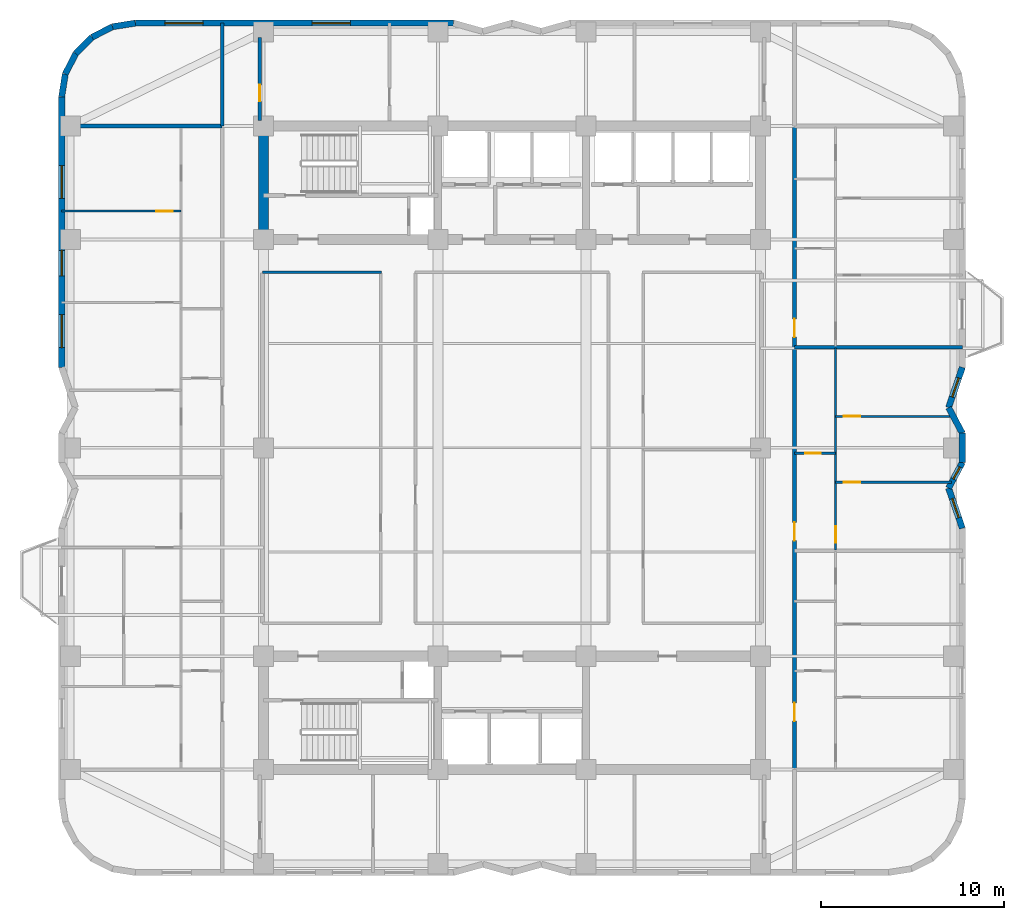
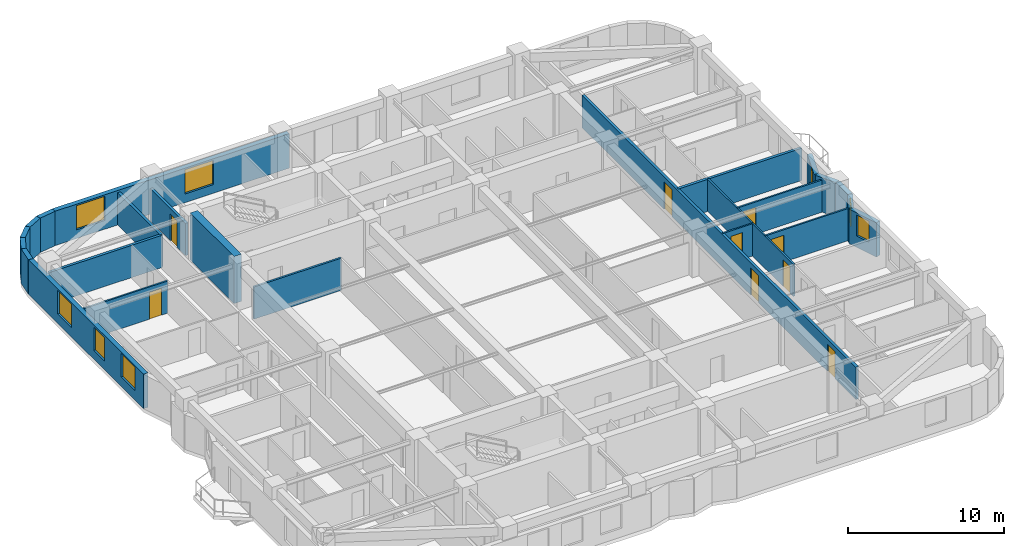
# One storey, part 5 of 9: 24 walls, 9 doors, 8 windows, 17 openings.
"""IFC4 building model written with IfcOpenShell, lengths in metres."""

from ifc_helpers import new_model, si_unit, direction, frame, frame_2d, origin, place, context, subcontext, project, spatial, rectangle, extrude, material, layer, layer_set, type_object, element, fill, save


model = new_model("IFC4")

# Units and contexts
model_context = context("Model", 3, precision=1e-05, world=origin(), true_north=direction((0.0, 1.0)))
body_context = subcontext(model_context, "Body", "Model", "MODEL_VIEW")
ifc_project = project(units=[si_unit("LENGTHUNIT", "METRE"), si_unit("AREAUNIT", "SQUARE_METRE"), si_unit("VOLUMEUNIT", "CUBIC_METRE"), si_unit("PLANEANGLEUNIT", "RADIAN"), si_unit("MASSUNIT", "GRAM", prefix="KILO")], contexts=[model_context])

# Site, building, storey
site_placement = place(None, origin())
site = spatial("IfcSite", under=ifc_project, at=site_placement, CompositionType="ELEMENT")
building_placement = place(site_placement, origin())
building = spatial("IfcBuilding", under=site, at=building_placement, Name="Svetorya Sky Lyceum", CompositionType="ELEMENT")
storey_placement = place(building_placement, frame((0.0, 0.0, 125.300048828125)))
storey = spatial("IfcBuildingStorey", under=building, at=storey_placement, Name="L31", CompositionType="ELEMENT", Elevation=125.300048828125)

# Wall
ifc_material_1 = material(Name="Concrete C60/75", Category="concrete")
ifc_layer_1 = layer(ifc_material_1, 0.550048828125)
ifc_layer_set_1 = layer_set([ifc_layer_1], Name="Concrete C60/75")
wall_type_1 = type_object("IfcWallType", Name="WL-CORE-550", PredefinedType="SHEAR", material=ifc_layer_set_1)
wall_1_placement = place(storey_placement, frame((25.60009765625, 39.875, 0.0), z_axis=(0.0, 0.0, 1.0), x_axis=(0.0, 1.0, 0.0)))
element("IfcWall", 1, at=wall_1_placement, inside=storey, type_object=wall_type_1, Name="L31 NC West Core Shear Wall", PredefinedType="SHEAR", context=body_context, shape_type="SweptSolid", body=[
    extrude(rectangle(XDim=5.64990234375, YDim=0.550048828125, at=frame_2d((2.824951171875, 0.0))), origin(), (0.0, 0.0, 1.0), 3.699951171875),
])

# Wall, opening, window
ifc_material_2 = material(Name="Putilovo limestone rainscreen on autoclaved cellular masonry", Category="masonry")
ifc_layer_2 = layer(ifc_material_2, 0.340087890625)
ifc_layer_set_2 = layer_set([ifc_layer_2], Name="Putilovo limestone rainscreen on autoclaved cellular masonry")
wall_type_2 = type_object("IfcWallType", Name="WL-EXT-340", PredefinedType="SOLIDWALL", material=ifc_layer_set_2)
wall_2_placement = place(storey_placement, frame((63.830078125, 23.800048828125, 0.0), z_axis=(0.0, 0.0, 1.0), x_axis=(-0.322680343871, 0.946508000853, 0.0)))
wall_2 = element("IfcWall", 2, at=wall_2_placement, inside=storey, type_object=wall_type_2, Name="L31 Limestone Exterior Wall 18M", PredefinedType="SOLIDWALL", context=body_context, shape_type="SweptSolid", body=[
    extrude(rectangle(XDim=2.32421875, YDim=0.340087890625, at=frame_2d((1.162109375, 0.0))), origin(), (0.0, 0.0, 1.0), 2.699951171875),
])
opening_1_placement = place(wall_2_placement, frame((0.6123046875, 0.0, 0.889892578125)))
opening_1 = element("IfcOpeningElement", 3, at=opening_1_placement, cuts=wall_2, Name="Opening W-R3", PredefinedType="OPENING", context=body_context, shape_type="SweptSolid", body=[
    extrude(rectangle(XDim=1.10009765625, YDim=1.64990234375, at=frame_2d((0.550048828125, 0.824951171875))), frame((0.0, 0.179931640625, 0.0), z_axis=(0.0, -1.0, 0.0), x_axis=(1.0, 0.0, 0.0)), (0.0, 0.0, 1.0), 0.360107421875),
])
ifc_material_3 = material(Name="Thermally broken aluminium frame with triple low-E glazing", Category="aluminium")
window_type_1 = type_object("IfcWindowType", Name="WN-RES-110", PartitioningType="SINGLE_PANEL", PredefinedType="WINDOW", material=ifc_material_3)
window_1_placement = place(opening_1_placement, origin())
window_1 = element("IfcWindow", 4, at=window_1_placement, inside=storey, type_object=window_type_1, Name="L31 Facade Window W-R3.18M.1", OverallHeight=1.64990234375, OverallWidth=1.10009765625, PartitioningType="SINGLE_PANEL", PredefinedType="WINDOW", context=body_context, shape_type="SweptSolid", body=[
    extrude(rectangle(XDim=1.10009765625, YDim=1.64990234375, at=frame_2d((0.550048828125, 0.824951171875))), frame((0.0, 0.030029296875, 0.0), z_axis=(0.0, -1.0, 0.0), x_axis=(1.0, 0.0, 0.0)), (0.0, 0.0, 1.0), 0.06005859375),
])
fill(opening_1, window_1)

wall_3_placement = place(storey_placement, frame((63.080078125, 26.0, 0.0), z_axis=(0.0, 0.0, 1.0), x_axis=(0.472247007964, 0.881466257703, 0.0)))
wall_3 = element("IfcWall", 5, at=wall_3_placement, inside=storey, type_object=wall_type_2, Name="L31 Limestone Exterior Wall 19M", PredefinedType="SOLIDWALL", context=body_context, shape_type="SweptSolid", body=[
    extrude(rectangle(XDim=1.588134765625, YDim=0.340087890625, at=frame_2d((0.7939453125, 0.0))), origin(), (0.0, 0.0, 1.0), 2.699951171875),
])
opening_2_placement = place(wall_3_placement, frame((0.56005859375, 0.0, 0.889892578125)))
opening_2 = element("IfcOpeningElement", 6, at=opening_2_placement, cuts=wall_3, Name="Opening W-R5", PredefinedType="OPENING", context=body_context, shape_type="SweptSolid", body=[
    extrude(rectangle(XDim=0.75, YDim=1.64990234375, at=frame_2d((0.375, 0.824951171875))), frame((0.0, 0.179931640625, 0.0), z_axis=(0.0, -1.0, 0.0), x_axis=(1.0, 0.0, 0.0)), (0.0, 0.0, 1.0), 0.360107421875),
])
window_type_2 = type_object("IfcWindowType", Name="WN-RES-075", PartitioningType="SINGLE_PANEL", PredefinedType="WINDOW", material=ifc_material_3)
window_2_placement = place(opening_2_placement, origin())
window_2 = element("IfcWindow", 7, at=window_2_placement, inside=storey, type_object=window_type_2, Name="L31 Facade Window W-R5.19M.1", OverallHeight=1.64990234375, OverallWidth=0.75, PartitioningType="SINGLE_PANEL", PredefinedType="WINDOW", context=body_context, shape_type="SweptSolid", body=[
    extrude(rectangle(XDim=0.75, YDim=1.64990234375, at=frame_2d((0.375, 0.824951171875))), frame((0.0, 0.030029296875, 0.0), z_axis=(0.0, -1.0, 0.0), x_axis=(1.0, 0.0, 0.0)), (0.0, 0.0, 1.0), 0.06005859375),
])
fill(opening_2, window_2)

# Walls
wall_4_placement = place(storey_placement, frame((63.830078125, 27.39990234375, 0.0), z_axis=(0.0, 0.0, 1.0), x_axis=(0.0, 1.0, 0.0)))
element("IfcWall", 8, at=wall_4_placement, inside=storey, type_object=wall_type_2, Name="L31 Limestone Exterior Wall 20M", PredefinedType="SOLIDWALL", context=body_context, shape_type="SweptSolid", body=[
    extrude(rectangle(XDim=1.60009765625, YDim=0.340087890625, at=frame_2d((0.800048828125, 0.0))), origin(), (0.0, 0.0, 1.0), 2.699951171875),
])
wall_5_placement = place(storey_placement, frame((63.830078125, 29.0, 0.0), z_axis=(0.0, 0.0, 1.0), x_axis=(-0.472247007964, 0.881466257703, 0.0)))
element("IfcWall", 9, at=wall_5_placement, inside=storey, type_object=wall_type_2, Name="L31 Limestone Exterior Wall 21M", PredefinedType="SOLIDWALL", context=body_context, shape_type="SweptSolid", body=[
    extrude(rectangle(XDim=1.588134765625, YDim=0.340087890625, at=frame_2d((0.7939453125, 0.0))), origin(), (0.0, 0.0, 1.0), 2.699951171875),
])

# Wall, opening, window
wall_6_placement = place(storey_placement, frame((63.080078125, 30.39990234375, 0.0), z_axis=(0.0, 0.0, 1.0), x_axis=(0.32264826586, 0.946518936175, 0.0)))
wall_6 = element("IfcWall", 10, at=wall_6_placement, inside=storey, type_object=wall_type_2, Name="L31 Limestone Exterior Wall 22M", PredefinedType="SOLIDWALL", context=body_context, shape_type="SweptSolid", body=[
    extrude(rectangle(XDim=2.324462890625, YDim=0.340087890625, at=frame_2d((1.162109375, 0.0))), origin(), (0.0, 0.0, 1.0), 2.699951171875),
])
opening_3_placement = place(wall_6_placement, frame((0.6123046875, 0.0, 0.889892578125)))
opening_3 = element("IfcOpeningElement", 11, at=opening_3_placement, cuts=wall_6, Name="Opening W-R3", PredefinedType="OPENING", context=body_context, shape_type="SweptSolid", body=[
    extrude(rectangle(XDim=1.10009765625, YDim=1.64990234375, at=frame_2d((0.550048828125, 0.824951171875))), frame((0.0, 0.179931640625, 0.0), z_axis=(0.0, -1.0, 0.0), x_axis=(1.0, 0.0, 0.0)), (0.0, 0.0, 1.0), 0.360107421875),
])
window_3_placement = place(opening_3_placement, origin())
window_3 = element("IfcWindow", 12, at=window_3_placement, inside=storey, type_object=window_type_1, Name="L31 Facade Window W-R3.22M.1", OverallHeight=1.64990234375, OverallWidth=1.10009765625, PartitioningType="SINGLE_PANEL", PredefinedType="WINDOW", context=body_context, shape_type="SweptSolid", body=[
    extrude(rectangle(XDim=1.10009765625, YDim=1.64990234375, at=frame_2d((0.550048828125, 0.824951171875))), frame((0.0, 0.030029296875, 0.0), z_axis=(0.0, -1.0, 0.0), x_axis=(1.0, 0.0, 0.0)), (0.0, 0.0, 1.0), 0.06005859375),
])
fill(opening_3, window_3)

# Wall, openings, windows
wall_7_placement = place(storey_placement, frame((36.0, 51.429931640625, 0.0), z_axis=(0.0, 0.0, 1.0), x_axis=(-1.0, 0.0, 0.0)))
wall_7 = element("IfcWall", 13, at=wall_7_placement, inside=storey, type_object=wall_type_2, Name="L31 Limestone Exterior Wall 34M", PredefinedType="SOLIDWALL", context=body_context, shape_type="SweptSolid", body=[
    extrude(rectangle(XDim=17.39990234375, YDim=0.340087890625, at=frame_2d((8.699951171875, 0.0))), origin(), (0.0, 0.0, 1.0), 2.699951171875),
])
opening_4_placement = place(wall_7_placement, frame((5.637451171875, 0.0, 0.679931640625)))
opening_4 = element("IfcOpeningElement", 14, at=opening_4_placement, cuts=wall_7, Name="Opening W-R0", PredefinedType="OPENING", context=body_context, shape_type="SweptSolid", body=[
    extrude(rectangle(XDim=2.10009765625, YDim=1.89990234375, at=frame_2d((1.050048828125, 0.949951171875))), frame((0.0, 0.179931640625, 0.0), z_axis=(0.0, -1.0, 0.0), x_axis=(1.0, 0.0, 0.0)), (0.0, 0.0, 1.0), 0.360107421875),
])
opening_5_placement = place(wall_7_placement, frame((13.6875, 0.0, 0.679931640625)))
opening_5 = element("IfcOpeningElement", 15, at=opening_5_placement, cuts=wall_7, Name="Opening W-R0", PredefinedType="OPENING", context=body_context, shape_type="SweptSolid", body=[
    extrude(rectangle(XDim=2.10009765625, YDim=1.89990234375, at=frame_2d((1.050048828125, 0.949951171875))), frame((0.0, 0.179931640625, 0.0), z_axis=(0.0, -1.0, 0.0), x_axis=(1.0, 0.0, 0.0)), (0.0, 0.0, 1.0), 0.360107421875),
])
window_type_3 = type_object("IfcWindowType", Name="WN-RES-210", PartitioningType="TRIPLE_PANEL_VERTICAL", PredefinedType="WINDOW", material=ifc_material_3)
window_4_placement = place(opening_4_placement, origin())
window_4 = element("IfcWindow", 16, at=window_4_placement, inside=storey, type_object=window_type_3, Name="L31 Facade Window W-R0.34M.1", OverallHeight=1.89990234375, OverallWidth=2.10009765625, PartitioningType="SINGLE_PANEL", PredefinedType="WINDOW", context=body_context, shape_type="SweptSolid", body=[
    extrude(rectangle(XDim=2.10009765625, YDim=1.89990234375, at=frame_2d((1.050048828125, 0.949951171875))), frame((0.0, 0.030029296875, 0.0), z_axis=(0.0, -1.0, 0.0), x_axis=(1.0, 0.0, 0.0)), (0.0, 0.0, 1.0), 0.06005859375),
])
fill(opening_4, window_4)
window_5_placement = place(opening_5_placement, origin())
window_5 = element("IfcWindow", 17, at=window_5_placement, inside=storey, type_object=window_type_3, Name="L31 Facade Window W-R0.34M.2", OverallHeight=1.89990234375, OverallWidth=2.10009765625, PartitioningType="SINGLE_PANEL", PredefinedType="WINDOW", context=body_context, shape_type="SweptSolid", body=[
    extrude(rectangle(XDim=2.10009765625, YDim=1.89990234375, at=frame_2d((1.050048828125, 0.949951171875))), frame((0.0, 0.030029296875, 0.0), z_axis=(0.0, -1.0, 0.0), x_axis=(1.0, 0.0, 0.0)), (0.0, 0.0, 1.0), 0.06005859375),
])
fill(opening_5, window_5)

# Walls
wall_8_placement = place(storey_placement, frame((18.60009765625, 51.429931640625, 0.0), z_axis=(0.0, 0.0, 1.0), x_axis=(-0.98771582066, -0.156260864002, 0.0)))
element("IfcWall", 18, at=wall_8_placement, inside=storey, type_object=wall_type_2, Name="L31 Limestone Exterior Wall 35M", PredefinedType="SOLIDWALL", context=body_context, shape_type="SweptSolid", body=[
    extrude(rectangle(XDim=1.2607421875, YDim=0.340087890625, at=frame_2d((0.63037109375, 0.0))), origin(), (0.0, 0.0, 1.0), 2.699951171875),
])
for number, where, z_axis, x_axis, name in (
    (19, (17.354736328125, 51.23291015625, 0.0), (0.0, 0.0, 1.0), (-0.890993689142, -0.454015689056, 0.0), "L31 Limestone Exterior Wall 36M"),
    (20, (16.231201171875, 50.660400390625, 0.0), (0.0, 0.0, 1.0), (-0.707106781187, -0.707106781187, 0.0), "L31 Limestone Exterior Wall 37M"),
    (21, (15.339599609375, 49.768798828125, 0.0), (0.0, 0.0, 1.0), (-0.454015689056, -0.890993689142, 0.0), "L31 Limestone Exterior Wall 38M"),
):
    element("IfcWall", number, at=place(storey_placement, frame(where, z_axis=z_axis, x_axis=x_axis)), inside=storey, type_object=wall_type_2, Name=name, PredefinedType="SOLIDWALL", context=body_context, shape_type="SweptSolid", body=[
        extrude(rectangle(XDim=1.260986328125, YDim=0.340087890625, at=frame_2d((0.63037109375, 0.0))), origin(), (0.0, 0.0, 1.0), 2.699951171875),
    ])
wall_9_placement = place(storey_placement, frame((14.76708984375, 48.645263671875, 0.0), z_axis=(0.0, 0.0, 1.0), x_axis=(-0.156260864002, -0.98771582066, 0.0)))
element("IfcWall", 22, at=wall_9_placement, inside=storey, type_object=wall_type_2, Name="L31 Limestone Exterior Wall 39M", PredefinedType="SOLIDWALL", context=body_context, shape_type="SweptSolid", body=[
    extrude(rectangle(XDim=1.2607421875, YDim=0.340087890625, at=frame_2d((0.63037109375, 0.0))), origin(), (0.0, 0.0, 1.0), 2.699951171875),
])

# Wall, openings, windows
wall_10_placement = place(storey_placement, frame((14.570068359375, 47.39990234375, 0.0), z_axis=(0.0, 0.0, 1.0), x_axis=(0.0, -1.0, 0.0)))
wall_10 = element("IfcWall", 23, at=wall_10_placement, inside=storey, type_object=wall_type_2, Name="L31 Limestone Exterior Wall 40M", PredefinedType="SOLIDWALL", context=body_context, shape_type="SweptSolid", body=[
    extrude(rectangle(XDim=14.7998046875, YDim=0.340087890625, at=frame_2d((7.39990234375, 0.0))), origin(), (0.0, 0.0, 1.0), 2.699951171875),
])
opening_6_placement = place(wall_10_placement, frame((3.762451171875, 0.0, 0.72998046875)))
opening_6 = element("IfcOpeningElement", 24, at=opening_6_placement, cuts=wall_10, Name="Opening W-R1", PredefinedType="OPENING", context=body_context, shape_type="SweptSolid", body=[
    extrude(rectangle(XDim=1.800048828125, YDim=1.85009765625, at=frame_2d((0.89990234375, 0.925048828125))), frame((0.0, 0.179931640625, 0.0), z_axis=(0.0, -1.0, 0.0), x_axis=(1.0, 0.0, 0.0)), (0.0, 0.0, 1.0), 0.360107421875),
])
opening_7_placement = place(wall_10_placement, frame((8.39990234375, 0.0, 0.68994140625)))
opening_7 = element("IfcOpeningElement", 25, at=opening_7_placement, cuts=wall_10, Name="Opening W-R2", PredefinedType="OPENING", context=body_context, shape_type="SweptSolid", body=[
    extrude(rectangle(XDim=1.39990234375, YDim=1.85009765625, at=frame_2d((0.699951171875, 0.925048828125))), frame((0.0, 0.179931640625, 0.0), z_axis=(0.0, -1.0, 0.0), x_axis=(1.0, 0.0, 0.0)), (0.0, 0.0, 1.0), 0.360107421875),
])
opening_8_placement = place(wall_10_placement, frame((11.91259765625, 0.0, 0.72998046875)))
opening_8 = element("IfcOpeningElement", 26, at=opening_8_placement, cuts=wall_10, Name="Opening W-R1", PredefinedType="OPENING", context=body_context, shape_type="SweptSolid", body=[
    extrude(rectangle(XDim=1.800048828125, YDim=1.85009765625, at=frame_2d((0.89990234375, 0.925048828125))), frame((0.0, 0.179931640625, 0.0), z_axis=(0.0, -1.0, 0.0), x_axis=(1.0, 0.0, 0.0)), (0.0, 0.0, 1.0), 0.360107421875),
])
window_type_4 = type_object("IfcWindowType", Name="WN-RES-140", PartitioningType="SINGLE_PANEL", PredefinedType="WINDOW", material=ifc_material_3)
window_6_placement = place(opening_7_placement, origin())
window_6 = element("IfcWindow", 27, at=window_6_placement, inside=storey, type_object=window_type_4, Name="L31 Facade Window W-R2.40M.3", OverallHeight=1.85009765625, OverallWidth=1.39990234375, PartitioningType="SINGLE_PANEL", PredefinedType="WINDOW", context=body_context, shape_type="SweptSolid", body=[
    extrude(rectangle(XDim=1.39990234375, YDim=1.85009765625, at=frame_2d((0.699951171875, 0.925048828125))), frame((0.0, 0.030029296875, 0.0), z_axis=(0.0, -1.0, 0.0), x_axis=(1.0, 0.0, 0.0)), (0.0, 0.0, 1.0), 0.06005859375),
])
fill(opening_7, window_6)
window_type_5 = type_object("IfcWindowType", Name="WN-RES-180", PartitioningType="DOUBLE_PANEL_VERTICAL", PredefinedType="WINDOW", material=ifc_material_3)
window_7_placement = place(opening_6_placement, origin())
window_7 = element("IfcWindow", 28, at=window_7_placement, inside=storey, type_object=window_type_5, Name="L31 Facade Window W-R1.40M.1", OverallHeight=1.85009765625, OverallWidth=1.800048828125, PartitioningType="SINGLE_PANEL", PredefinedType="WINDOW", context=body_context, shape_type="SweptSolid", body=[
    extrude(rectangle(XDim=1.800048828125, YDim=1.85009765625, at=frame_2d((0.89990234375, 0.925048828125))), frame((0.0, 0.030029296875, 0.0), z_axis=(0.0, -1.0, 0.0), x_axis=(1.0, 0.0, 0.0)), (0.0, 0.0, 1.0), 0.06005859375),
])
fill(opening_6, window_7)
window_8_placement = place(opening_8_placement, origin())
window_8 = element("IfcWindow", 29, at=window_8_placement, inside=storey, type_object=window_type_5, Name="L31 Facade Window W-R1.40M.2", OverallHeight=1.85009765625, OverallWidth=1.800048828125, PartitioningType="SINGLE_PANEL", PredefinedType="WINDOW", context=body_context, shape_type="SweptSolid", body=[
    extrude(rectangle(XDim=1.800048828125, YDim=1.85009765625, at=frame_2d((0.89990234375, 0.925048828125))), frame((0.0, 0.030029296875, 0.0), z_axis=(0.0, -1.0, 0.0), x_axis=(1.0, 0.0, 0.0)), (0.0, 0.0, 1.0), 0.06005859375),
])
fill(opening_8, window_8)

# Wall, opening, door
ifc_material_4 = material(Name="Twin-stud galvanized framing with double fireboard", Category="gypsum")
ifc_layer_3 = layer(ifc_material_4, 0.1201171875)
ifc_layer_set_3 = layer_set([ifc_layer_3], Name="Twin-stud galvanized framing with double fireboard")
wall_type_3 = type_object("IfcWallType", Name="WL-PART-120", PredefinedType="PARTITIONING", material=ifc_layer_set_3)
wall_11_placement = place(storey_placement, frame((14.570068359375, 41.14990234375, 0.0), z_axis=(0.0, 0.0, 1.0), x_axis=(1.0, 0.0, 0.0)))
wall_11 = element("IfcWall", 30, at=wall_11_placement, inside=storey, type_object=wall_type_3, Name="L31 Interior Partition W2-WL3", PredefinedType="PARTITIONING", context=body_context, shape_type="SweptSolid", body=[
    extrude(rectangle(XDim=6.530029296875, YDim=0.1201171875, at=frame_2d((3.26513671875, 0.0))), origin(), (0.0, 0.0, 1.0), 2.530029296875),
])
opening_9_placement = place(wall_11_placement, frame((5.179931640625, 0.0, 0.0)))
opening_9 = element("IfcOpeningElement", 31, at=opening_9_placement, cuts=wall_11, Name="Opening D-RM1", PredefinedType="OPENING", context=body_context, shape_type="SweptSolid", body=[
    extrude(rectangle(XDim=0.89990234375, YDim=2.10009765625, at=frame_2d((0.449951171875, 1.050048828125))), frame((0.0, 0.070068359375, 0.0), z_axis=(0.0, -1.0, 0.0), x_axis=(1.0, 0.0, 0.0)), (0.0, 0.0, 1.0), 0.14013671875),
])
ifc_material_5 = material(Name="Lacquered birch veneer internal door")
door_type_1 = type_object("IfcDoorType", Name="DR-INT-900", OperationType="SINGLE_SWING_LEFT", PredefinedType="DOOR", material=ifc_material_5)
door_1_placement = place(opening_9_placement, origin())
door_1 = element("IfcDoor", 32, at=door_1_placement, inside=storey, type_object=door_type_1, Name="Apartment W2 Bedroom 3 Door", OperationType="SINGLE_SWING_RIGHT", OverallHeight=2.10009765625, OverallWidth=0.89990234375, PredefinedType="DOOR", context=body_context, shape_type="SweptSolid", body=[
    extrude(rectangle(XDim=0.89990234375, YDim=2.10009765625, at=frame_2d((0.449951171875, 1.050048828125))), frame((0.0, 0.02490234375, 0.0), z_axis=(0.0, -1.0, 0.0), x_axis=(1.0, 0.0, 0.0)), (0.0, 0.0, 1.0), 0.050048828125),
])
fill(opening_9, door_1)

wall_12_placement = place(storey_placement, frame((54.64990234375, 27.907958984375, 0.0), z_axis=(0.0, 0.0, 1.0), x_axis=(1.0, 0.0, 0.0)))
wall_12 = element("IfcWall", 33, at=wall_12_placement, inside=storey, type_object=wall_type_3, Name="L31 Interior Partition E2-WH1", PredefinedType="PARTITIONING", context=body_context, shape_type="SweptSolid", body=[
    extrude(rectangle(XDim=2.25, YDim=0.1201171875, at=frame_2d((1.125, 0.0))), origin(), (0.0, 0.0, 1.0), 2.530029296875),
])
opening_10_placement = place(wall_12_placement, frame((0.60009765625, 0.0, 0.0)))
opening_10 = element("IfcOpeningElement", 34, at=opening_10_placement, cuts=wall_12, Name="Opening D-BT1", PredefinedType="OPENING", context=body_context, shape_type="SweptSolid", body=[
    extrude(rectangle(XDim=0.85009765625, YDim=2.10009765625, at=frame_2d((0.425048828125, 1.050048828125))), frame((0.0, 0.070068359375, 0.0), z_axis=(0.0, -1.0, 0.0), x_axis=(1.0, 0.0, 0.0)), (0.0, 0.0, 1.0), 0.14013671875),
])
ifc_material_6 = material(Name="Moisture-resistant laminate bathroom door")
door_type_2 = type_object("IfcDoorType", Name="DR-WET-850", OperationType="SINGLE_SWING_LEFT", PredefinedType="DOOR", material=ifc_material_6)
door_2_placement = place(opening_10_placement, origin())
door_2 = element("IfcDoor", 35, at=door_2_placement, inside=storey, type_object=door_type_2, Name="Apartment E2 Bathroom Door", OperationType="SINGLE_SWING_LEFT", OverallHeight=2.10009765625, OverallWidth=0.85009765625, PredefinedType="DOOR", context=body_context, shape_type="SweptSolid", body=[
    extrude(rectangle(XDim=0.85009765625, YDim=2.10009765625, at=frame_2d((0.425048828125, 1.050048828125))), frame((0.0, 0.02490234375, 0.0), z_axis=(0.0, -1.0, 0.0), x_axis=(1.0, 0.0, 0.0)), (0.0, 0.0, 1.0), 0.050048828125),
])
fill(opening_10, door_2)

wall_13_placement = place(storey_placement, frame((56.89990234375, 26.318115234375, 0.0), z_axis=(0.0, 0.0, 1.0), x_axis=(1.0, 0.0, 0.0)))
wall_13 = element("IfcWall", 36, at=wall_13_placement, inside=storey, type_object=wall_type_3, Name="L31 Interior Partition E2-WL1", PredefinedType="PARTITIONING", context=body_context, shape_type="SweptSolid", body=[
    extrude(rectangle(XDim=6.3505859375, YDim=0.1201171875, at=frame_2d((3.17529296875, 0.0))), origin(), (0.0, 0.0, 1.0), 2.530029296875),
])
opening_11_placement = place(wall_13_placement, frame((0.449951171875, 0.0, 0.0)))
opening_11 = element("IfcOpeningElement", 37, at=opening_11_placement, cuts=wall_13, Name="Opening D-RM1", PredefinedType="OPENING", context=body_context, shape_type="SweptSolid", body=[
    extrude(rectangle(XDim=0.89990234375, YDim=2.10009765625, at=frame_2d((0.449951171875, 1.050048828125))), frame((0.0, 0.070068359375, 0.0), z_axis=(0.0, -1.0, 0.0), x_axis=(1.0, 0.0, 0.0)), (0.0, 0.0, 1.0), 0.14013671875),
])
door_3_placement = place(opening_11_placement, origin())
door_3 = element("IfcDoor", 38, at=door_3_placement, inside=storey, type_object=door_type_1, Name="Apartment E2 Master Bedroom Door", OperationType="SINGLE_SWING_LEFT", OverallHeight=2.10009765625, OverallWidth=0.89990234375, PredefinedType="DOOR", context=body_context, shape_type="SweptSolid", body=[
    extrude(rectangle(XDim=0.89990234375, YDim=2.10009765625, at=frame_2d((0.449951171875, 1.050048828125))), frame((0.0, 0.02490234375, 0.0), z_axis=(0.0, -1.0, 0.0), x_axis=(1.0, 0.0, 0.0)), (0.0, 0.0, 1.0), 0.050048828125),
])
fill(opening_11, door_3)

wall_14_placement = place(storey_placement, frame((56.89990234375, 29.91796875, 0.0), z_axis=(0.0, 0.0, 1.0), x_axis=(1.0, 0.0, 0.0)))
wall_14 = element("IfcWall", 39, at=wall_14_placement, inside=storey, type_object=wall_type_3, Name="L31 Interior Partition E2-WL2", PredefinedType="PARTITIONING", context=body_context, shape_type="SweptSolid", body=[
    extrude(rectangle(XDim=6.438232421875, YDim=0.1201171875, at=frame_2d((3.21923828125, 0.0))), origin(), (0.0, 0.0, 1.0), 2.530029296875),
])
opening_12_placement = place(wall_14_placement, frame((0.449951171875, 0.0, 0.0)))
opening_12 = element("IfcOpeningElement", 40, at=opening_12_placement, cuts=wall_14, Name="Opening D-RM1", PredefinedType="OPENING", context=body_context, shape_type="SweptSolid", body=[
    extrude(rectangle(XDim=0.89990234375, YDim=2.10009765625, at=frame_2d((0.449951171875, 1.050048828125))), frame((0.0, 0.070068359375, 0.0), z_axis=(0.0, -1.0, 0.0), x_axis=(1.0, 0.0, 0.0)), (0.0, 0.0, 1.0), 0.14013671875),
])
door_4_placement = place(opening_12_placement, origin())
door_4 = element("IfcDoor", 41, at=door_4_placement, inside=storey, type_object=door_type_1, Name="Apartment E2 Bedroom 2 Door", OperationType="SINGLE_SWING_RIGHT", OverallHeight=2.10009765625, OverallWidth=0.89990234375, PredefinedType="DOOR", context=body_context, shape_type="SweptSolid", body=[
    extrude(rectangle(XDim=0.89990234375, YDim=2.10009765625, at=frame_2d((0.449951171875, 1.050048828125))), frame((0.0, 0.02490234375, 0.0), z_axis=(0.0, -1.0, 0.0), x_axis=(1.0, 0.0, 0.0)), (0.0, 0.0, 1.0), 0.050048828125),
])
fill(opening_12, door_4)

wall_15_placement = place(storey_placement, frame((56.89990234375, 22.60791015625, 0.0), z_axis=(0.0, 0.0, 1.0), x_axis=(0.0, 1.0, 0.0)))
wall_15 = element("IfcWall", 42, at=wall_15_placement, inside=storey, type_object=wall_type_3, Name="L31 Interior Partition E2-WV", PredefinedType="PARTITIONING", context=body_context, shape_type="SweptSolid", body=[
    extrude(rectangle(XDim=11.052001953125, YDim=0.1201171875, at=frame_2d((5.52587890625, 0.0))), origin(), (0.0, 0.0, 1.0), 2.530029296875),
])
opening_13_placement = place(wall_15_placement, frame((0.409912109375, 0.0, 0.0)))
opening_13 = element("IfcOpeningElement", 43, at=opening_13_placement, cuts=wall_15, Name="Opening D-RM1", PredefinedType="OPENING", context=body_context, shape_type="SweptSolid", body=[
    extrude(rectangle(XDim=0.89990234375, YDim=2.10009765625, at=frame_2d((0.449951171875, 1.050048828125))), frame((0.0, 0.070068359375, 0.0), z_axis=(0.0, -1.0, 0.0), x_axis=(1.0, 0.0, 0.0)), (0.0, 0.0, 1.0), 0.14013671875),
])
door_5_placement = place(opening_13_placement, origin())
door_5 = element("IfcDoor", 44, at=door_5_placement, inside=storey, type_object=door_type_1, Name="Apartment E2 Living Door", OperationType="SINGLE_SWING_RIGHT", OverallHeight=2.10009765625, OverallWidth=0.89990234375, PredefinedType="DOOR", context=body_context, shape_type="SweptSolid", body=[
    extrude(rectangle(XDim=0.89990234375, YDim=2.10009765625, at=frame_2d((0.449951171875, 1.050048828125))), frame((0.0, 0.02490234375, 0.0), z_axis=(0.0, -1.0, 0.0), x_axis=(1.0, 0.0, 0.0)), (0.0, 0.0, 1.0), 0.050048828125),
])
fill(opening_13, door_5)

# Walls
ifc_material_7 = material(Name="Autoclaved cellular masonry blockwork with acoustic render", Category="masonry")
ifc_layer_4 = layer(ifc_material_7, 0.14990234375)
ifc_layer_set_4 = layer_set([ifc_layer_4], Name="Autoclaved cellular masonry blockwork with acoustic render")
wall_type_4 = type_object("IfcWallType", Name="WL-PART-150", PredefinedType="PARTITIONING", material=ifc_layer_set_4)
wall_16_placement = place(storey_placement, frame((25.550048828125, 37.800048828125, 0.0), z_axis=(0.0, 0.0, 1.0), x_axis=(1.0, 0.0, 0.0)))
element("IfcWall", 45, at=wall_16_placement, inside=storey, type_object=wall_type_4, Name="L31 Interior Partition RL-CN-W", PredefinedType="PARTITIONING", context=body_context, shape_type="SweptSolid", body=[
    extrude(rectangle(XDim=6.5, YDim=0.14990234375, at=frame_2d((3.25, 0.0))), origin(), (0.0, 0.0, 1.0), 2.530029296875),
])
ifc_material_8 = material(Name="Autoclaved cellular masonry blockwork with gypsum plaster", Category="masonry")
ifc_layer_5 = layer(ifc_material_8, 0.199951171875)
ifc_layer_set_5 = layer_set([ifc_layer_5], Name="Autoclaved cellular masonry blockwork with gypsum plaster")
wall_type_5 = type_object("IfcWallType", Name="WL-PART-200", PredefinedType="PARTITIONING", material=ifc_layer_set_5)
wall_17_placement = place(storey_placement, frame((14.989990234375, 45.800048828125, 0.0), z_axis=(0.0, 0.0, 1.0), x_axis=(1.0, 0.0, 0.0)))
element("IfcWall", 46, at=wall_17_placement, inside=storey, type_object=wall_type_5, Name="L31 Interior Partition W-CAP-N", PredefinedType="PARTITIONING", context=body_context, shape_type="SweptSolid", body=[
    extrude(rectangle(XDim=8.360107421875, YDim=0.199951171875, at=frame_2d((4.18017578125, 0.0))), origin(), (0.0, 0.0, 1.0), 2.530029296875),
])
wall_18_placement = place(storey_placement, frame((54.64990234375, 33.699951171875, 0.0), z_axis=(0.0, 0.0, 1.0), x_axis=(1.0, 0.0, 0.0)))
element("IfcWall", 47, at=wall_18_placement, inside=storey, type_object=wall_type_5, Name="L31 Interior Partition E-PARTY-2", PredefinedType="PARTITIONING", context=body_context, shape_type="SweptSolid", body=[
    extrude(rectangle(XDim=9.18017578125, YDim=0.199951171875, at=frame_2d((4.590087890625, 0.0))), origin(), (0.0, 0.0, 1.0), 2.530029296875),
])

# Wall, openings, doors
wall_19_placement = place(storey_placement, frame((54.64990234375, 10.60009765625, 0.0), z_axis=(0.0, 0.0, 1.0), x_axis=(0.0, 1.0, 0.0)))
wall_19 = element("IfcWall", 48, at=wall_19_placement, inside=storey, type_object=wall_type_5, Name="L31 Interior Partition E-CORRW", PredefinedType="PARTITIONING", context=body_context, shape_type="SweptSolid", body=[
    extrude(rectangle(XDim=35.199951171875, YDim=0.199951171875, at=frame_2d((17.60009765625, 0.0))), origin(), (0.0, 0.0, 1.0), 2.530029296875),
])
opening_14_placement = place(wall_19_placement, frame((2.64990234375, 0.0, 0.0)))
opening_14 = element("IfcOpeningElement", 49, at=opening_14_placement, cuts=wall_19, Name="Opening D-APT1", PredefinedType="OPENING", context=body_context, shape_type="SweptSolid", body=[
    extrude(rectangle(XDim=1.0, YDim=2.14990234375, at=frame_2d((0.5, 1.074951171875))), frame((0.0, 0.10986328125, 0.0), z_axis=(0.0, -1.0, 0.0), x_axis=(1.0, 0.0, 0.0)), (0.0, 0.0, 1.0), 0.219970703125),
])
opening_15_placement = place(wall_19_placement, frame((12.51806640625, 0.0, 0.0)))
opening_15 = element("IfcOpeningElement", 50, at=opening_15_placement, cuts=wall_19, Name="Opening D-APT1", PredefinedType="OPENING", context=body_context, shape_type="SweptSolid", body=[
    extrude(rectangle(XDim=1.0, YDim=2.14990234375, at=frame_2d((0.5, 1.074951171875))), frame((0.0, 0.10986328125, 0.0), z_axis=(0.0, -1.0, 0.0), x_axis=(1.0, 0.0, 0.0)), (0.0, 0.0, 1.0), 0.219970703125),
])
opening_16_placement = place(wall_19_placement, frame((23.64990234375, 0.0, 0.0)))
opening_16 = element("IfcOpeningElement", 51, at=opening_16_placement, cuts=wall_19, Name="Opening D-APT1", PredefinedType="OPENING", context=body_context, shape_type="SweptSolid", body=[
    extrude(rectangle(XDim=1.0, YDim=2.14990234375, at=frame_2d((0.5, 1.074951171875))), frame((0.0, 0.10986328125, 0.0), z_axis=(0.0, -1.0, 0.0), x_axis=(1.0, 0.0, 0.0)), (0.0, 0.0, 1.0), 0.219970703125),
])
ifc_material_9 = material(Name="Insulated oak-veneered apartment entrance door")
door_type_3 = type_object("IfcDoorType", Name="DR-APT-1000", OperationType="SINGLE_SWING_LEFT", PredefinedType="DOOR", material=ifc_material_9)
door_6_placement = place(opening_14_placement, origin())
door_6 = element("IfcDoor", 52, at=door_6_placement, inside=storey, type_object=door_type_3, Name="L31 Apartment E1 Entrance Door", OperationType="SINGLE_SWING_RIGHT", OverallHeight=2.14990234375, OverallWidth=1.0, PredefinedType="DOOR", context=body_context, shape_type="SweptSolid", body=[
    extrude(rectangle(XDim=1.0, YDim=2.14990234375, at=frame_2d((0.5, 1.074951171875))), frame((0.0, 0.02490234375, 0.0), z_axis=(0.0, -1.0, 0.0), x_axis=(1.0, 0.0, 0.0)), (0.0, 0.0, 1.0), 0.050048828125),
])
fill(opening_14, door_6)
door_7_placement = place(opening_15_placement, origin())
door_7 = element("IfcDoor", 53, at=door_7_placement, inside=storey, type_object=door_type_3, Name="L31 Apartment E2 Entrance Door", OperationType="SINGLE_SWING_LEFT", OverallHeight=2.14990234375, OverallWidth=1.0, PredefinedType="DOOR", context=body_context, shape_type="SweptSolid", body=[
    extrude(rectangle(XDim=1.0, YDim=2.14990234375, at=frame_2d((0.5, 1.074951171875))), frame((0.0, 0.02490234375, 0.0), z_axis=(0.0, -1.0, 0.0), x_axis=(1.0, 0.0, 0.0)), (0.0, 0.0, 1.0), 0.050048828125),
])
fill(opening_15, door_7)
door_8_placement = place(opening_16_placement, origin())
door_8 = element("IfcDoor", 54, at=door_8_placement, inside=storey, type_object=door_type_3, Name="L31 Apartment E3 Entrance Door", OperationType="SINGLE_SWING_RIGHT", OverallHeight=2.14990234375, OverallWidth=1.0, PredefinedType="DOOR", context=body_context, shape_type="SweptSolid", body=[
    extrude(rectangle(XDim=1.0, YDim=2.14990234375, at=frame_2d((0.5, 1.074951171875))), frame((0.0, 0.02490234375, 0.0), z_axis=(0.0, -1.0, 0.0), x_axis=(1.0, 0.0, 0.0)), (0.0, 0.0, 1.0), 0.050048828125),
])
fill(opening_16, door_8)

# Wall
wall_20_placement = place(storey_placement, frame((23.35009765625, 45.800048828125, 0.0), z_axis=(0.0, 0.0, 1.0), x_axis=(0.0, 1.0, 0.0)))
element("IfcWall", 55, at=wall_20_placement, inside=storey, type_object=wall_type_5, Name="L31 Interior Partition WC-NW-END", PredefinedType="PARTITIONING", context=body_context, shape_type="SweptSolid", body=[
    extrude(rectangle(XDim=5.6298828125, YDim=0.199951171875, at=frame_2d((2.81494140625, 0.0))), origin(), (0.0, 0.0, 1.0), 2.530029296875),
])

# Wall, opening, door
wall_21_placement = place(storey_placement, frame((25.39990234375, 46.10009765625, 0.0), z_axis=(0.0, 0.0, 1.0), x_axis=(0.0, 1.0, 0.0)))
wall_21 = element("IfcWall", 56, at=wall_21_placement, inside=storey, type_object=wall_type_5, Name="L31 Interior Partition N-EW", PredefinedType="PARTITIONING", context=body_context, shape_type="SweptSolid", body=[
    extrude(rectangle(XDim=4.52978515625, YDim=0.199951171875, at=frame_2d((2.264892578125, 0.0))), origin(), (0.0, 0.0, 1.0), 2.530029296875),
])
opening_17_placement = place(wall_21_placement, frame((1.050048828125, 0.0, 0.0)))
opening_17 = element("IfcOpeningElement", 57, at=opening_17_placement, cuts=wall_21, Name="Opening D-RM1", PredefinedType="OPENING", context=body_context, shape_type="SweptSolid", body=[
    extrude(rectangle(XDim=0.89990234375, YDim=2.10009765625, at=frame_2d((0.449951171875, 1.050048828125))), frame((0.0, 0.10986328125, 0.0), z_axis=(0.0, -1.0, 0.0), x_axis=(1.0, 0.0, 0.0)), (0.0, 0.0, 1.0), 0.219970703125),
])
door_9_placement = place(opening_17_placement, origin())
door_9 = element("IfcDoor", 58, at=door_9_placement, inside=storey, type_object=door_type_1, Name="L31 North Study Door", OperationType="SINGLE_SWING_RIGHT", OverallHeight=2.10009765625, OverallWidth=0.89990234375, PredefinedType="DOOR", context=body_context, shape_type="SweptSolid", body=[
    extrude(rectangle(XDim=0.89990234375, YDim=2.10009765625, at=frame_2d((0.449951171875, 1.050048828125))), frame((0.0, 0.02490234375, 0.0), z_axis=(0.0, -1.0, 0.0), x_axis=(1.0, 0.0, 0.0)), (0.0, 0.0, 1.0), 0.050048828125),
])
fill(opening_17, door_9)

save(model, "model.ifc")
